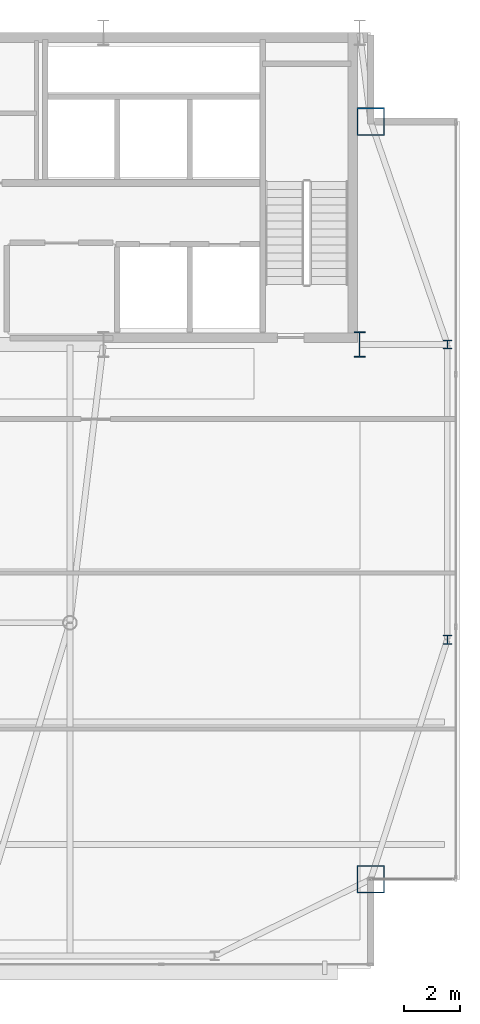
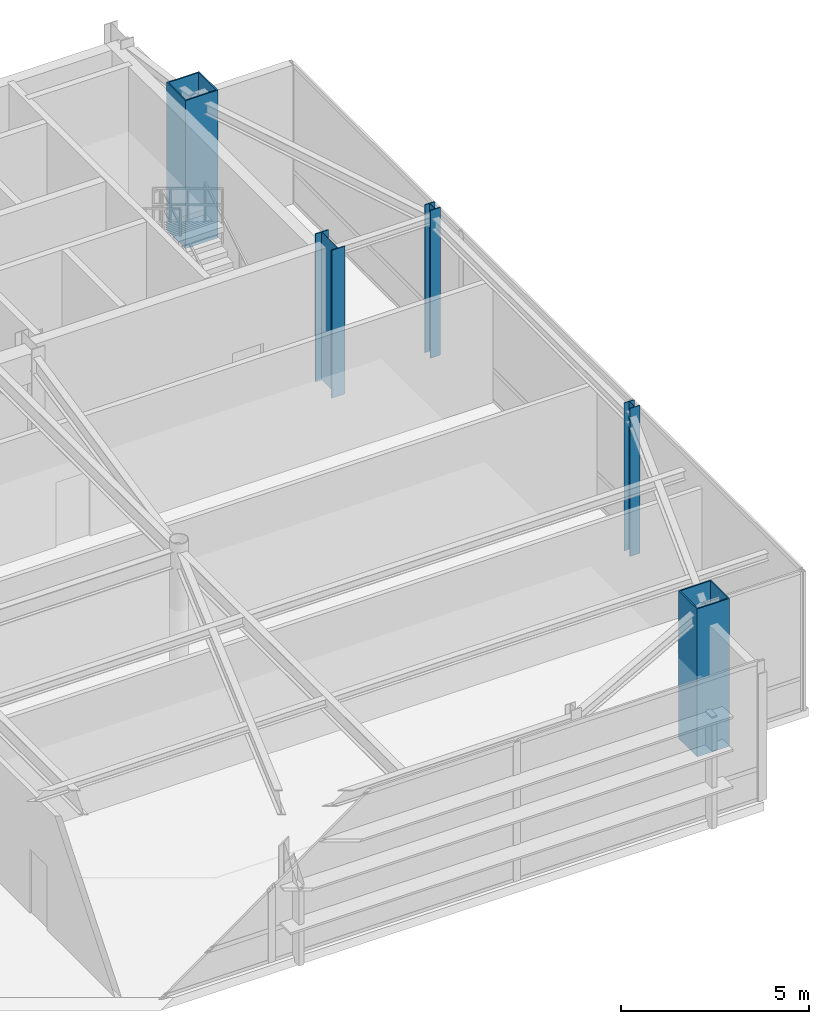
# One storey, part 2 of 21: 5 columns.
"""IFC4 building model written with IfcOpenShell, lengths in metres."""

from ifc_helpers import new_model, si_unit, direction, frame, origin, origin_2d, place, context, subcontext, project, spatial, hollow_rectangle, i_section, extrude, source, transform, mapped, material, material_profile, profile_set, type_object, type_shapes, element, save


model = new_model("IFC4")

# Units and contexts
model_context = context("Model", 3, precision=1e-05, world=origin(), true_north=direction((0.0, 1.0)))
body_context = subcontext(model_context, "Body", "Model", "MODEL_VIEW")
ifc_project = project(units=[si_unit("LENGTHUNIT", "METRE"), si_unit("AREAUNIT", "SQUARE_METRE"), si_unit("VOLUMEUNIT", "CUBIC_METRE"), si_unit("PLANEANGLEUNIT", "RADIAN"), si_unit("MASSUNIT", "GRAM", prefix="KILO")], contexts=[model_context])

# Site, building, storey
site_placement = place(None, origin())
site = spatial("IfcSite", under=ifc_project, at=site_placement, CompositionType="ELEMENT")
building_placement = place(site_placement, origin())
building = spatial("IfcBuilding", under=site, at=building_placement, Name="Varnel Quay Broadcast Tower", CompositionType="ELEMENT")
storey_placement = place(building_placement, frame((0.0, 0.0, 300.199951171875)))
storey = spatial("IfcBuildingStorey", under=building, at=storey_placement, Name="L75", CompositionType="ELEMENT", Elevation=300.199951171875)

# Columns
ifc_material_1 = material(Name="Structural Steel CSA G40.21 350WT", Category="steel")
ifc_material_profile_1 = material_profile(ifc_material_1, i_section(OverallWidth=0.39990234375, OverallDepth=0.89990234375, WebThickness=0.01611328125, FlangeThickness=0.028076171875, FilletRadius=0.01611328125, at=origin_2d()), Name="WWF900X309")
ifc_profile_set_1 = profile_set([ifc_material_profile_1], Name="Structural Steel CSA G40.21 350WT")
column_type_1 = type_object("IfcColumnType", Name="Col_WWF900X309", PredefinedType="COLUMN", material=ifc_profile_set_1)
shared_shape_1 = source(origin(), body_context, "Body", "SweptSolid", [
    extrude(i_section(OverallWidth=0.39990234375, OverallDepth=0.89990234375, WebThickness=0.01611328125, FlangeThickness=0.028076171875, FilletRadius=0.01611328125, at=origin_2d()), origin(), (0.0, 0.0, 1.0), 4.800048828125),
])
type_shapes(column_type_1, [shared_shape_1])
column_placement = place(storey_placement, frame((52.39990234375, 35.60009765625, 0.0), z_axis=(0.0, 0.0, 1.0), x_axis=(1.0, 0.0, 0.0)))
element("IfcColumn", 1, at=column_placement, inside=storey, type_object=column_type_1, Name="L75 Column CC-S5", PredefinedType="COLUMN", context=body_context, shape_type="MappedRepresentation", body=[
    mapped(shared_shape_1, transform((0.0, 0.0, 0.0), x_axis=(1.0, 0.0, 0.0), y_axis=(0.0, 1.0, 0.0), z_axis=(0.0, 0.0, 1.0), scale=1.0)),
])
ifc_material_profile_2 = material_profile(ifc_material_1, hollow_rectangle(XDim=1.0, YDim=1.0, WallThickness=0.0400390625, at=origin_2d()), Name="BOX1000X1000X40")
ifc_profile_set_2 = profile_set([ifc_material_profile_2], Name="Structural Steel CSA G40.21 350WT")
column_type_2 = type_object("IfcColumnType", Name="Col_BOX1000X1000X40", PredefinedType="COLUMN", material=ifc_profile_set_2)
shared_shape_2 = source(origin(), body_context, "Body", "SweptSolid", [
    extrude(hollow_rectangle(XDim=1.0, YDim=1.0, WallThickness=0.0400390625, at=origin_2d()), origin(), (0.0, 0.0, 1.0), 4.800048828125),
])
type_shapes(column_type_2, [shared_shape_2])
for number, where, z_axis, x_axis, name in (
    (2, (52.800048828125, 16.39990234375, 0.0), (0.0, 0.0, 1.0), (1.0, 0.0, 0.0), "L75 Column MC-SE"),
    (3, (52.800048828125, 43.60009765625, 0.0), (0.0, 0.0, 1.0), (1.0, 0.0, 0.0), "L75 Column MC-NE"),
):
    element("IfcColumn", number, at=place(storey_placement, frame(where, z_axis=z_axis, x_axis=x_axis)), inside=storey, type_object=column_type_2, Name=name, PredefinedType="COLUMN", context=body_context, shape_type="MappedRepresentation", body=[
        mapped(shared_shape_2, transform((0.0, 0.0, 0.0), x_axis=(1.0, 0.0, 0.0), y_axis=(0.0, 1.0, 0.0), z_axis=(0.0, 0.0, 1.0), scale=1.0)),
    ])
ifc_material_2 = material(Name="Structural Steel CSA G40.21 350W", Category="steel")
ifc_material_profile_3 = material_profile(ifc_material_2, i_section(OverallWidth=0.30908203125, OverallDepth=0.322998046875, WebThickness=0.013916015625, FlangeThickness=0.02294921875, FilletRadius=0.014892578125, at=origin_2d()), Name="W310X143")
ifc_profile_set_3 = profile_set([ifc_material_profile_3], Name="Structural Steel CSA G40.21 350W")
column_type_3 = type_object("IfcColumnType", Name="Col_W310X143", PredefinedType="COLUMN", material=ifc_profile_set_3)
shared_shape_3 = source(origin(), body_context, "Body", "SweptSolid", [
    extrude(i_section(OverallWidth=0.30908203125, OverallDepth=0.322998046875, WebThickness=0.013916015625, FlangeThickness=0.02294921875, FilletRadius=0.014892578125, at=origin_2d()), origin(), (0.0, 0.0, 1.0), 4.800048828125),
])
type_shapes(column_type_3, [shared_shape_3])
for number, where, z_axis, x_axis, name in (
    (4, (55.550048828125, 25.0, 0.0), (0.0, 0.0, 1.0), (1.0, 0.0, 0.0), "L75 Column TC-E1"),
    (5, (55.550048828125, 35.60009765625, 0.0), (0.0, 0.0, 1.0), (1.0, 0.0, 0.0), "L75 Column TC-E2"),
):
    element("IfcColumn", number, at=place(storey_placement, frame(where, z_axis=z_axis, x_axis=x_axis)), inside=storey, type_object=column_type_3, Name=name, PredefinedType="COLUMN", context=body_context, shape_type="MappedRepresentation", body=[
        mapped(shared_shape_3, transform((0.0, 0.0, 0.0), x_axis=(1.0, 0.0, 0.0), y_axis=(0.0, 1.0, 0.0), z_axis=(0.0, 0.0, 1.0), scale=1.0)),
    ])

save(model, "model.ifc")
